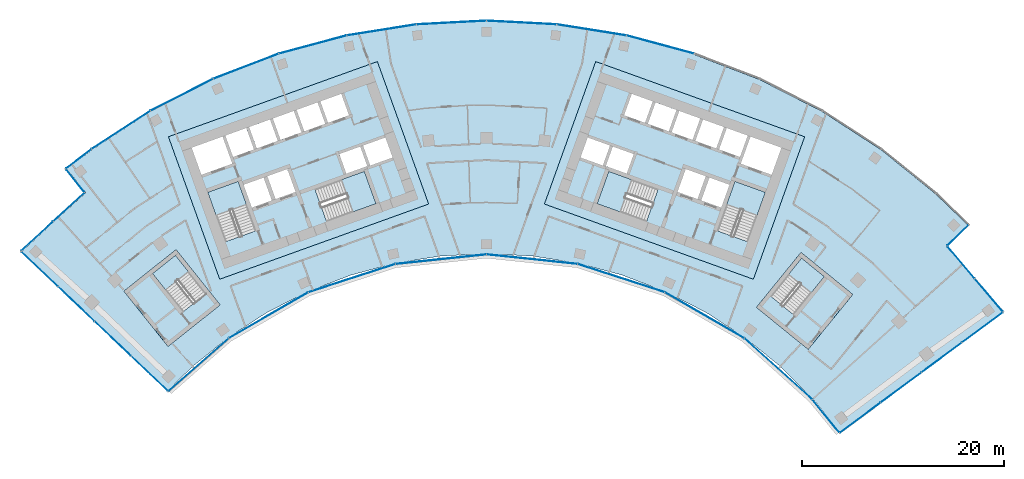
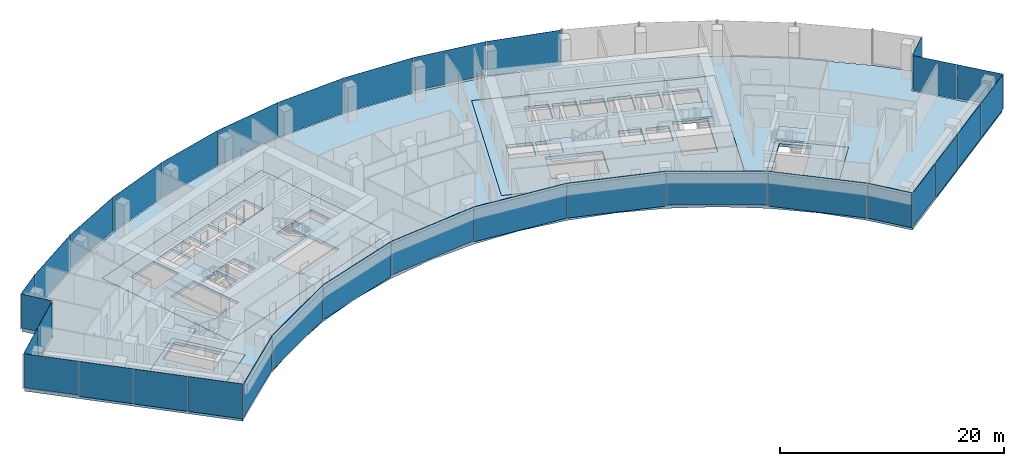
# One storey, part 10 of 19: 33 plates, 11 slabs, 14 elements without a shape of their own.
"""IFC4 building model written with IfcOpenShell, lengths in metres."""

from ifc_helpers import new_model, si_unit, direction, frame, origin, origin_2d, place, context, subcontext, project, spatial, polyline, rectangle, outline, extrude, material, layer, layer_set, type_object, element, aggregate, save


model = new_model("IFC4")

# Units and contexts
model_context = context("Model", 3, precision=1e-05, world=origin(), true_north=direction((0.0, 1.0)))
body_context = subcontext(model_context, "Body", "Model", "MODEL_VIEW")
ifc_project = project(units=[si_unit("LENGTHUNIT", "METRE"), si_unit("AREAUNIT", "SQUARE_METRE"), si_unit("VOLUMEUNIT", "CUBIC_METRE"), si_unit("PLANEANGLEUNIT", "RADIAN"), si_unit("MASSUNIT", "GRAM", prefix="KILO")], contexts=[model_context])

# Site, building, storey
site_placement = place(None, origin())
site = spatial("IfcSite", under=ifc_project, at=site_placement, CompositionType="ELEMENT")
building_placement = place(site_placement, origin())
building = spatial("IfcBuilding", under=site, at=building_placement, Name="Stone Belt Terrace Tower", CompositionType="ELEMENT")
storey_placement = place(building_placement, frame((0.0, 0.0, 208.60009765625)))
storey = spatial("IfcBuildingStorey", under=building, at=storey_placement, Name="L50", CompositionType="ELEMENT", Elevation=208.60009765625)

# Curtain wall, plates
ifc_material_1 = material(Name="Aluminium 6063-T6 anodised frame", Category="aluminium")
ifc_layer_1 = layer(ifc_material_1, 0.14990234375)
ifc_layer_set_1 = layer_set([ifc_layer_1], Name="CW-A unitised convex-face curtain wall")
curtain_wall_type_1 = type_object("IfcCurtainWallType", Name="CW-A unitised convex-face curtain wall", PredefinedType="NOTDEFINED", material=ifc_layer_set_1)
curtain_wall_1_placement = place(storey_placement, origin())
curtain_wall_1 = element("IfcCurtainWall", 1, at=curtain_wall_1_placement, inside=storey, type_object=curtain_wall_type_1, Name="CW-A convex face L50", PredefinedType="NOTDEFINED")
ifc_material_2 = material(Name="Clear double glazed unit")
ifc_layer_2 = layer(ifc_material_2, 0.031982421875)
ifc_layer_set_2 = layer_set([ifc_layer_2], Name="CW-A glass panel 32")
plate_type_1 = type_object("IfcPlateType", Name="CW-A glass panel 32", PredefinedType="CURTAIN_PANEL", material=ifc_layer_set_2)
plate_1_placement = place(storey_placement, frame((17.207275390625, 64.218505859375, 0.0), z_axis=(0.0, 0.0, 1.0), x_axis=(-0.965925826289, 0.258819045103, 0.0)))
plate_1 = element("IfcPlate", 2, at=plate_1_placement, type_object=plate_type_1, Name="CW-A panel 6.1", PredefinedType="CURTAIN_PANEL", context=body_context, shape_type="SweptSolid", body=[
    extrude(rectangle(XDim=6.90087890625, YDim=0.031982421875, at=origin_2d()), origin(), (0.0, 0.0, 1.0), 3.800048828125),
])
plate_2_placement = place(storey_placement, frame((10.400390625, 65.665283203125, 0.14013671875), z_axis=(0.0, 0.0, 1.0), x_axis=(-0.987688340595, 0.15643446504, 0.0)))
plate_2 = element("IfcPlate", 3, at=plate_2_placement, type_object=plate_type_1, Name="CW-A panel 7.1", PredefinedType="CURTAIN_PANEL", context=body_context, shape_type="SweptSolid", body=[
    extrude(rectangle(XDim=6.90087890625, YDim=0.031982421875, at=origin_2d()), origin(), (0.0, 0.0, 1.0), 3.659912109375),
])
plate_3_placement = place(storey_placement, frame((3.4794921875, 66.392822265625, 0.0), z_axis=(0.0, 0.0, 1.0), x_axis=(-0.998629534755, 0.052335956243, 0.0)))
plate_3 = element("IfcPlate", 4, at=plate_3_placement, type_object=plate_type_1, Name="CW-A panel 8.1", PredefinedType="CURTAIN_PANEL", context=body_context, shape_type="SweptSolid", body=[
    extrude(rectangle(XDim=6.90087890625, YDim=0.031982421875, at=origin_2d()), origin(), (0.0, 0.0, 1.0), 3.800048828125),
])
plate_4_placement = place(storey_placement, frame((-3.4794921875, 66.392822265625, 0.0), z_axis=(0.0, 0.0, 1.0), x_axis=(-0.998629534755, -0.052335956243, 0.0)))
plate_4 = element("IfcPlate", 5, at=plate_4_placement, type_object=plate_type_1, Name="CW-A panel 9.1", PredefinedType="CURTAIN_PANEL", context=body_context, shape_type="SweptSolid", body=[
    extrude(rectangle(XDim=6.90087890625, YDim=0.031982421875, at=origin_2d()), origin(), (0.0, 0.0, 1.0), 3.800048828125),
])
plate_5_placement = place(storey_placement, frame((-10.400390625, 65.665283203125, 0.0), z_axis=(0.0, 0.0, 1.0), x_axis=(-0.987688340595, -0.15643446504, 0.0)))
plate_5 = element("IfcPlate", 6, at=plate_5_placement, type_object=plate_type_1, Name="CW-A panel 10.1", PredefinedType="CURTAIN_PANEL", context=body_context, shape_type="SweptSolid", body=[
    extrude(rectangle(XDim=6.90087890625, YDim=0.031982421875, at=origin_2d()), origin(), (0.0, 0.0, 1.0), 3.800048828125),
])
plate_6_placement = place(storey_placement, frame((-17.207275390625, 64.218505859375, 0.0), z_axis=(0.0, 0.0, 1.0), x_axis=(-0.965925826289, -0.258819045103, 0.0)))
plate_6 = element("IfcPlate", 7, at=plate_6_placement, type_object=plate_type_1, Name="CW-A panel 11.1", PredefinedType="CURTAIN_PANEL", context=body_context, shape_type="SweptSolid", body=[
    extrude(rectangle(XDim=6.90087890625, YDim=0.031982421875, at=origin_2d()), origin(), (0.0, 0.0, 1.0), 3.800048828125),
])
plate_7_placement = place(storey_placement, frame((-23.82568359375, 62.068115234375, 0.0), z_axis=(0.0, 0.0, 1.0), x_axis=(-0.933580426497, -0.358367949545, 0.0)))
plate_7 = element("IfcPlate", 8, at=plate_7_placement, type_object=plate_type_1, Name="CW-A panel 12.1", PredefinedType="CURTAIN_PANEL", context=body_context, shape_type="SweptSolid", body=[
    extrude(rectangle(XDim=6.90087890625, YDim=0.031982421875, at=origin_2d()), origin(), (0.0, 0.0, 1.0), 3.800048828125),
])
plate_8_placement = place(storey_placement, frame((-30.18310546875, 59.237548828125, 0.14013671875), z_axis=(0.0, 0.0, 1.0), x_axis=(-0.891006524188, -0.45399049974, 0.0)))
plate_8 = element("IfcPlate", 9, at=plate_8_placement, type_object=plate_type_1, Name="CW-A panel 13.1", PredefinedType="CURTAIN_PANEL", context=body_context, shape_type="SweptSolid", body=[
    extrude(rectangle(XDim=6.90087890625, YDim=0.031982421875, at=origin_2d()), origin(), (0.0, 0.0, 1.0), 3.659912109375),
])
plate_9_placement = place(storey_placement, frame((-36.209716796875, 55.758056640625, 0.0), z_axis=(0.0, 0.0, 1.0), x_axis=(-0.838670567945, -0.544639035015, 0.0)))
plate_9 = element("IfcPlate", 10, at=plate_9_placement, type_object=plate_type_1, Name="CW-A panel 14.1", PredefinedType="CURTAIN_PANEL", context=body_context, shape_type="SweptSolid", body=[
    extrude(rectangle(XDim=6.900634765625, YDim=0.031982421875, at=origin_2d()), origin(), (0.0, 0.0, 1.0), 3.800048828125),
])
plate_10_placement = place(storey_placement, frame((-40.394775390625, 52.896240234375, 0.0), z_axis=(0.0, 0.0, 1.0), x_axis=(-0.794905425637, -0.606733355184, 0.0)))
plate_10 = element("IfcPlate", 11, at=plate_10_placement, type_object=plate_type_1, Name="CW-A panel 15.1", PredefinedType="CURTAIN_PANEL", context=body_context, shape_type="SweptSolid", body=[
    extrude(rectangle(XDim=3.1142578125, YDim=0.031982421875, at=origin_2d()), origin(), (0.0, 0.0, 1.0), 3.800048828125),
])
aggregate(curtain_wall_1, [plate_1, plate_2, plate_3, plate_4, plate_5, plate_6, plate_7, plate_8, plate_9, plate_10])

ifc_layer_3 = layer(ifc_material_1, 0.14990234375)
ifc_layer_set_3 = layer_set([ifc_layer_3], Name="CW-B unitised concave-face curtain wall")
curtain_wall_type_2 = type_object("IfcCurtainWallType", Name="CW-B unitised concave-face curtain wall", PredefinedType="NOTDEFINED", material=ifc_layer_set_3)
curtain_wall_2_placement = place(storey_placement, origin())
curtain_wall_2 = element("IfcCurtainWall", 12, at=curtain_wall_2_placement, inside=storey, type_object=curtain_wall_type_2, Name="CW-B concave face L50", PredefinedType="NOTDEFINED")
ifc_layer_4 = layer(ifc_material_2, 0.030029296875)
ifc_layer_set_4 = layer_set([ifc_layer_4], Name="CW-B glass panel 30")
plate_type_2 = type_object("IfcPlateType", Name="CW-B glass panel 30", PredefinedType="CURTAIN_PANEL", material=ifc_layer_set_4)
plate_11_placement = place(storey_placement, frame((-28.516357421875, 32.509033203125, 0.1201171875), z_axis=(0.0, 0.0, 1.0), x_axis=(0.752060320301, 0.659094283566, 0.0)))
plate_11 = element("IfcPlate", 13, at=plate_11_placement, type_object=plate_type_2, Name="CW-B panel 1.1", PredefinedType="CURTAIN_PANEL", context=body_context, shape_type="SweptSolid", body=[
    extrude(rectangle(XDim=7.8916015625, YDim=0.030029296875, at=origin_2d()), origin(), (0.0, 0.0, 1.0), 3.679931640625),
])
plate_12_placement = place(storey_placement, frame((-21.59375, 37.400634765625, 0.0), z_axis=(0.0, 0.0, 1.0), x_axis=(0.866025403784, 0.5, 0.0)))
plate_12 = element("IfcPlate", 14, at=plate_12_placement, type_object=plate_type_2, Name="CW-B panel 2.1", PredefinedType="CURTAIN_PANEL", context=body_context, shape_type="SweptSolid", body=[
    extrude(rectangle(XDim=9.013916015625, YDim=0.030029296875, at=origin_2d()), origin(), (0.0, 0.0, 1.0), 3.800048828125),
])
plate_13_placement = place(storey_placement, frame((-13.345458984375, 41.072998046875, 0.0), z_axis=(0.0, 0.0, 1.0), x_axis=(0.951056516295, 0.309016994375, 0.0)))
plate_13 = element("IfcPlate", 15, at=plate_13_placement, type_object=plate_type_2, Name="CW-B panel 3.1", PredefinedType="CURTAIN_PANEL", context=body_context, shape_type="SweptSolid", body=[
    extrude(rectangle(XDim=9.0126953125, YDim=0.030029296875, at=origin_2d()), origin(), (0.0, 0.0, 1.0), 3.800048828125),
])
plate_14_placement = place(storey_placement, frame((-4.51416015625, 42.9501953125, 0.1201171875), z_axis=(0.0, 0.0, 1.0), x_axis=(0.994521895368, 0.104528463268, 0.0)))
plate_14 = element("IfcPlate", 16, at=plate_14_placement, type_object=plate_type_2, Name="CW-B panel 4.1", PredefinedType="CURTAIN_PANEL", context=body_context, shape_type="SweptSolid", body=[
    extrude(rectangle(XDim=9.0126953125, YDim=0.030029296875, at=origin_2d()), origin(), (0.0, 0.0, 1.0), 3.679931640625),
])
plate_15_placement = place(storey_placement, frame((4.51416015625, 42.9501953125, 0.0), z_axis=(0.0, 0.0, 1.0), x_axis=(0.994521895368, -0.104528463268, 0.0)))
plate_15 = element("IfcPlate", 17, at=plate_15_placement, type_object=plate_type_2, Name="CW-B panel 5.1", PredefinedType="CURTAIN_PANEL", context=body_context, shape_type="SweptSolid", body=[
    extrude(rectangle(XDim=9.0126953125, YDim=0.030029296875, at=origin_2d()), origin(), (0.0, 0.0, 1.0), 3.800048828125),
])
plate_16_placement = place(storey_placement, frame((13.345458984375, 41.072998046875, 0.0), z_axis=(0.0, 0.0, 1.0), x_axis=(0.951056516295, -0.309016994375, 0.0)))
plate_16 = element("IfcPlate", 18, at=plate_16_placement, type_object=plate_type_2, Name="CW-B panel 6.1", PredefinedType="CURTAIN_PANEL", context=body_context, shape_type="SweptSolid", body=[
    extrude(rectangle(XDim=9.0126953125, YDim=0.030029296875, at=origin_2d()), origin(), (0.0, 0.0, 1.0), 3.800048828125),
])
plate_17_placement = place(storey_placement, frame((21.59326171875, 37.40087890625, 0.1201171875), z_axis=(0.0, 0.0, 1.0), x_axis=(0.866025403784, -0.5, 0.0)))
plate_17 = element("IfcPlate", 19, at=plate_17_placement, type_object=plate_type_2, Name="CW-B panel 7.1", PredefinedType="CURTAIN_PANEL", context=body_context, shape_type="SweptSolid", body=[
    extrude(rectangle(XDim=9.0126953125, YDim=0.030029296875, at=origin_2d()), origin(), (0.0, 0.0, 1.0), 3.679931640625),
])
plate_18_placement = place(storey_placement, frame((28.899169921875, 32.092529296875, 0.0), z_axis=(0.0, 0.0, 1.0), x_axis=(0.743144825477, -0.669130606359, 0.0)))
plate_18 = element("IfcPlate", 20, at=plate_18_placement, type_object=plate_type_2, Name="CW-B panel 8.1", PredefinedType="CURTAIN_PANEL", context=body_context, shape_type="SweptSolid", body=[
    extrude(rectangle(XDim=9.01708984375, YDim=0.030029296875, at=origin_2d()), origin(), (0.0, 0.0, 1.0), 3.800048828125),
])
plate_19_placement = place(storey_placement, frame((33.611572265625, 27.4150390625, 0.0), z_axis=(0.0, 0.0, 1.0), x_axis=(0.632397726807, -0.774643863417, 0.0)))
plate_19 = element("IfcPlate", 21, at=plate_19_placement, type_object=plate_type_2, Name="CW-B panel 9.1", PredefinedType="CURTAIN_PANEL", context=body_context, shape_type="SweptSolid", body=[
    extrude(rectangle(XDim=4.173828125, YDim=0.030029296875, at=origin_2d()), origin(), (0.0, 0.0, 1.0), 3.800048828125),
])
aggregate(curtain_wall_2, [plate_11, plate_12, plate_13, plate_14, plate_15, plate_16, plate_17, plate_18, plate_19])

ifc_layer_5 = layer(ifc_material_1, 0.14990234375)
ifc_layer_set_5 = layer_set([ifc_layer_5], Name="CW-C stick curtain wall, horn ends and notches")
curtain_wall_type_3 = type_object("IfcCurtainWallType", Name="CW-C stick curtain wall, horn ends and notches", PredefinedType="NOTDEFINED", material=ifc_layer_set_5)
curtain_wall_3_placement = place(storey_placement, origin())
curtain_wall_3 = element("IfcCurtainWall", 22, at=curtain_wall_3_placement, inside=storey, type_object=curtain_wall_type_3, Name="CW-C end face L50", PredefinedType="NOTDEFINED")
ifc_layer_6 = layer(ifc_material_2, 0.028076171875)
ifc_layer_set_6 = layer_set([ifc_layer_6], Name="CW-C glass panel 28")
plate_type_3 = type_object("IfcPlateType", Name="CW-C glass panel 28", PredefinedType="CURTAIN_PANEL", material=ifc_layer_set_6)
plate_20_placement = place(storey_placement, frame((37.032470703125, 27.263916015625, 0.1201171875), z_axis=(0.0, 0.0, 1.0), x_axis=(0.804329077539, 0.594184091865, 0.0)))
plate_20 = element("IfcPlate", 23, at=plate_20_placement, type_object=plate_type_3, Name="CW-C panel 1.1", PredefinedType="CURTAIN_PANEL", context=body_context, shape_type="SweptSolid", body=[
    extrude(rectangle(XDim=4.968017578125, YDim=0.028076171875, at=origin_2d()), origin(), (0.0, 0.0, 1.0), 3.679931640625),
])
plate_21_placement = place(storey_placement, frame((41.0654296875, 30.2431640625, 0.0), z_axis=(0.0, 0.0, 1.0), x_axis=(0.804329077539, 0.594184091865, 0.0)))
plate_21 = element("IfcPlate", 24, at=plate_21_placement, type_object=plate_type_3, Name="CW-C panel 2.1", PredefinedType="CURTAIN_PANEL", context=body_context, shape_type="SweptSolid", body=[
    extrude(rectangle(XDim=4.93994140625, YDim=0.028076171875, at=origin_2d()), origin(), (0.0, 0.0, 1.0), 3.800048828125),
])
plate_22_placement = place(storey_placement, frame((45.0869140625, 33.2138671875, 0.0), z_axis=(0.0, 0.0, 1.0), x_axis=(0.804329077539, 0.594184091865, 0.0)))
plate_22 = element("IfcPlate", 25, at=plate_22_placement, type_object=plate_type_3, Name="CW-C panel 3.1", PredefinedType="CURTAIN_PANEL", context=body_context, shape_type="SweptSolid", body=[
    extrude(rectangle(XDim=4.93994140625, YDim=0.028076171875, at=origin_2d()), origin(), (0.0, 0.0, 1.0), 3.800048828125),
])
plate_23_placement = place(storey_placement, frame((49.122802734375, 36.1953125, 0.0), z_axis=(0.0, 0.0, 1.0), x_axis=(0.804329077539, 0.594184091865, 0.0)))
plate_23 = element("IfcPlate", 26, at=plate_23_placement, type_object=plate_type_3, Name="CW-C panel 4.1", PredefinedType="CURTAIN_PANEL", context=body_context, shape_type="SweptSolid", body=[
    extrude(rectangle(XDim=4.974853515625, YDim=0.028076171875, at=origin_2d()), origin(), (0.0, 0.0, 1.0), 3.800048828125),
])
aggregate(curtain_wall_3, [plate_20, plate_21, plate_22, plate_23])

curtain_wall_4_placement = place(storey_placement, origin())
curtain_wall_4 = element("IfcCurtainWall", 27, at=curtain_wall_4_placement, inside=storey, type_object=curtain_wall_type_3, Name="CW-C notch face L50", PredefinedType="NOTDEFINED")
plate_24_placement = place(storey_placement, frame((49.75390625, 39.402587890625, 0.1201171875), z_axis=(0.0, 0.0, 1.0), x_axis=(-0.647210945735, 0.762310954743, 0.0)))
plate_24 = element("IfcPlate", 28, at=plate_24_placement, type_object=plate_type_3, Name="CW-C panel 1.1", PredefinedType="CURTAIN_PANEL", context=body_context, shape_type="SweptSolid", body=[
    extrude(rectangle(XDim=4.268798828125, YDim=0.028076171875, at=origin_2d()), origin(), (0.0, 0.0, 1.0), 3.679931640625),
])
plate_25_placement = place(storey_placement, frame((47.000244140625, 42.645751953125, 0.0), z_axis=(0.0, 0.0, 1.0), x_axis=(-0.647210945735, 0.762310954743, 0.0)))
plate_25 = element("IfcPlate", 29, at=plate_25_placement, type_object=plate_type_3, Name="CW-C panel 2.1", PredefinedType="CURTAIN_PANEL", context=body_context, shape_type="SweptSolid", body=[
    extrude(rectangle(XDim=4.12060546875, YDim=0.028076171875, at=origin_2d()), origin(), (0.0, 0.0, 1.0), 3.800048828125),
])
aggregate(curtain_wall_4, [plate_24, plate_25])

# Curtain wall, plate
curtain_wall_5_placement = place(storey_placement, origin())
curtain_wall_5 = element("IfcCurtainWall", 30, at=curtain_wall_5_placement, inside=storey, type_object=curtain_wall_type_3, Name="CW-C notch face L50", PredefinedType="NOTDEFINED")
plate_26_placement = place(storey_placement, frame((46.69677734375, 45.320068359375, 0.1201171875), z_axis=(0.0, 0.0, 1.0), x_axis=(0.71680345276, 0.697275275707, 0.0)))
plate_26 = element("IfcPlate", 31, at=plate_26_placement, type_object=plate_type_3, Name="CW-C panel 1.1", PredefinedType="CURTAIN_PANEL", context=body_context, shape_type="SweptSolid", body=[
    extrude(rectangle(XDim=2.859619140625, YDim=0.028076171875, at=origin_2d()), origin(), (0.0, 0.0, 1.0), 3.679931640625),
])
aggregate(curtain_wall_5, [plate_26])

curtain_wall_6_placement = place(storey_placement, origin())
curtain_wall_6 = element("IfcCurtainWall", 32, at=curtain_wall_6_placement, inside=storey, type_object=curtain_wall_type_3, Name="CW-C notch face L50", PredefinedType="NOTDEFINED")
plate_27_placement = place(storey_placement, frame((-40.751220703125, 50.732666015625, 0.1201171875), z_axis=(0.0, 0.0, 1.0), x_axis=(0.625342799553, -0.780350166943, 0.0)))
plate_27 = element("IfcPlate", 33, at=plate_27_placement, type_object=plate_type_3, Name="CW-C panel 1.1", PredefinedType="CURTAIN_PANEL", context=body_context, shape_type="SweptSolid", body=[
    extrude(rectangle(XDim=2.85888671875, YDim=0.028076171875, at=origin_2d()), origin(), (0.0, 0.0, 1.0), 3.679931640625),
])
aggregate(curtain_wall_6, [plate_27])

# Curtain wall, plates
curtain_wall_7_placement = place(storey_placement, origin())
curtain_wall_7 = element("IfcCurtainWall", 34, at=curtain_wall_7_placement, inside=storey, type_object=curtain_wall_type_3, Name="CW-C notch face L50", PredefinedType="NOTDEFINED")
plate_28_placement = place(storey_placement, frame((-41.38232421875, 48.116455078125, 0.1201171875), z_axis=(0.0, 0.0, 1.0), x_axis=(-0.736280049148, -0.676676945985, 0.0)))
plate_28 = element("IfcPlate", 35, at=plate_28_placement, type_object=plate_type_3, Name="CW-C panel 1.1", PredefinedType="CURTAIN_PANEL", context=body_context, shape_type="SweptSolid", body=[
    extrude(rectangle(XDim=4.12060546875, YDim=0.028076171875, at=origin_2d()), origin(), (0.0, 0.0, 1.0), 3.679931640625),
])
plate_29_placement = place(storey_placement, frame((-44.514892578125, 45.237548828125, 0.0), z_axis=(0.0, 0.0, 1.0), x_axis=(-0.736280049148, -0.676676945985, 0.0)))
plate_29 = element("IfcPlate", 36, at=plate_29_placement, type_object=plate_type_3, Name="CW-C panel 2.1", PredefinedType="CURTAIN_PANEL", context=body_context, shape_type="SweptSolid", body=[
    extrude(rectangle(XDim=4.268798828125, YDim=0.028076171875, at=origin_2d()), origin(), (0.0, 0.0, 1.0), 3.800048828125),
])
aggregate(curtain_wall_7, [plate_28, plate_29])

curtain_wall_8_placement = place(storey_placement, origin())
curtain_wall_8 = element("IfcCurtainWall", 37, at=curtain_wall_8_placement, inside=storey, type_object=curtain_wall_type_3, Name="CW-C end face L50", PredefinedType="NOTDEFINED")
plate_30_placement = place(storey_placement, frame((-44.2841796875, 41.976806640625, 0.1201171875), z_axis=(0.0, 0.0, 1.0), x_axis=(0.72491369175, -0.688839705238, 0.0)))
plate_30 = element("IfcPlate", 38, at=plate_30_placement, type_object=plate_type_3, Name="CW-C panel 1.1", PredefinedType="CURTAIN_PANEL", context=body_context, shape_type="SweptSolid", body=[
    extrude(rectangle(XDim=4.974853515625, YDim=0.028076171875, at=origin_2d()), origin(), (0.0, 0.0, 1.0), 3.679931640625),
])
plate_31_placement = place(storey_placement, frame((-40.646728515625, 38.520751953125, 0.0), z_axis=(0.0, 0.0, 1.0), x_axis=(0.72491369175, -0.688839705238, 0.0)))
plate_31 = element("IfcPlate", 39, at=plate_31_placement, type_object=plate_type_3, Name="CW-C panel 2.1", PredefinedType="CURTAIN_PANEL", context=body_context, shape_type="SweptSolid", body=[
    extrude(rectangle(XDim=4.93994140625, YDim=0.028076171875, at=origin_2d()), origin(), (0.0, 0.0, 1.0), 3.800048828125),
])
plate_32_placement = place(storey_placement, frame((-37.022216796875, 35.076416015625, 0.0), z_axis=(0.0, 0.0, 1.0), x_axis=(0.72491369175, -0.688839705238, 0.0)))
plate_32 = element("IfcPlate", 40, at=plate_32_placement, type_object=plate_type_3, Name="CW-C panel 3.1", PredefinedType="CURTAIN_PANEL", context=body_context, shape_type="SweptSolid", body=[
    extrude(rectangle(XDim=4.93994140625, YDim=0.028076171875, at=origin_2d()), origin(), (0.0, 0.0, 1.0), 3.800048828125),
])
plate_33_placement = place(storey_placement, frame((-33.388427734375, 31.623291015625, 0.0), z_axis=(0.0, 0.0, 1.0), x_axis=(0.72491369175, -0.688839705238, 0.0)))
plate_33 = element("IfcPlate", 41, at=plate_33_placement, type_object=plate_type_3, Name="CW-C panel 4.1", PredefinedType="CURTAIN_PANEL", context=body_context, shape_type="SweptSolid", body=[
    extrude(rectangle(XDim=4.9658203125, YDim=0.028076171875, at=origin_2d()), origin(), (0.0, 0.0, 1.0), 3.800048828125),
])
aggregate(curtain_wall_8, [plate_30, plate_31, plate_32, plate_33])

# Slabs
ifc_material_3 = material(Name="Concrete B40", Category="concrete")
ifc_layer_7 = layer(ifc_material_3, 0.320068359375)
ifc_layer_set_7 = layer_set([ifc_layer_7], Name="Core floor slab 320")
slab_type_1 = type_object("IfcSlabType", Name="Core floor slab 320", PredefinedType="FLOOR", material=ifc_layer_set_7)
slab_1_placement = place(storey_placement, frame((0.0, 0.0, -0.320068359375)))
element("IfcSlab", 42, at=slab_1_placement, inside=storey, type_object=slab_type_1, Name="Core A floor L50", PredefinedType="FLOOR", context=body_context, shape_type="SweptSolid", body=[
    extrude(outline(polyline([(-26.43505859375, 40.968994140625), (-5.735107421875, 48.4189453125), (-10.81396484375, 62.531982421875), (-31.513916015625, 55.0830078125), (-26.43505859375, 40.968994140625)]), holes=[polyline([(-24.60791015625, 50.659912109375), (-22.847900390625, 45.76806640625), (-25.85888671875, 44.68408203125), (-27.618896484375, 49.575927734375), (-24.60791015625, 50.659912109375)]), polyline([(-23.25, 48.06689453125), (-24.06298828125, 50.324951171875), (-22.0869140625, 51.035888671875), (-21.27392578125, 48.778076171875), (-23.25, 48.06689453125)]), polyline([(-20.89794921875, 48.9130859375), (-21.7109375, 51.1708984375), (-19.735107421875, 51.883056640625), (-18.922119140625, 49.6240234375), (-20.89794921875, 48.9130859375)]), polyline([(-28.24609375, 51.31689453125), (-29.2109375, 53.9990234375), (-26.153076171875, 55.09912109375), (-25.18798828125, 52.41796875), (-28.24609375, 51.31689453125)]), polyline([(-23.801025390625, 55.946044921875), (-23.0390625, 53.8291015625), (-25.10888671875, 53.083984375), (-25.87109375, 55.200927734375), (-23.801025390625, 55.946044921875)]), polyline([(-21.447998046875, 56.7919921875), (-20.68603515625, 54.675048828125), (-22.756103515625, 53.929931640625), (-23.51806640625, 56.047119140625), (-21.447998046875, 56.7919921875)]), polyline([(-10.955078125, 48.452880859375), (-15.846923828125, 46.69189453125), (-16.998046875, 49.89208984375), (-12.10595703125, 51.652099609375), (-10.955078125, 48.452880859375)]), polyline([(-11.847900390625, 52.116943359375), (-11.864990234375, 52.1640625), (-13.887939453125, 51.43603515625), (-14.58203125, 53.364990234375), (-12.511962890625, 54.110107421875), (-11.801025390625, 52.134033203125), (-11.847900390625, 52.116943359375)]), polyline([(-9.30810546875, 53.031005859375), (-11.51904296875, 52.235107421875), (-12.22998046875, 54.2109375), (-10.01904296875, 55.007080078125), (-9.30810546875, 53.031005859375)]), polyline([(-21.166015625, 56.89404296875), (-19.095947265625, 57.638916015625), (-18.333984375, 55.52197265625), (-20.404052734375, 54.777099609375), (-21.166015625, 56.89404296875)]), polyline([(-16.743896484375, 58.485107421875), (-15.98193359375, 56.367919921875), (-18.052001953125, 55.623046875), (-18.81396484375, 57.739990234375), (-16.743896484375, 58.485107421875)]), polyline([(-14.39111328125, 59.33203125), (-13.6298828125, 57.215087890625), (-15.699951171875, 56.469970703125), (-16.4609375, 58.5869140625), (-14.39111328125, 59.33203125)])]), origin(), (0.0, 0.0, 1.0), 0.320068359375),
])
slab_2_placement = place(storey_placement, frame((0.0, 0.0, -0.320068359375)))
element("IfcSlab", 43, at=slab_2_placement, inside=storey, type_object=slab_type_1, Name="Core B floor L50", PredefinedType="FLOOR", context=body_context, shape_type="SweptSolid", body=[
    extrude(outline(polyline([(26.43505859375, 40.968994140625), (31.513916015625, 55.0830078125), (10.81396484375, 62.531982421875), (5.735107421875, 48.4189453125), (26.43505859375, 40.968994140625)]), holes=[polyline([(12.10595703125, 51.652099609375), (16.998046875, 49.89208984375), (15.846923828125, 46.69189453125), (10.955078125, 48.452880859375), (12.10595703125, 51.652099609375)]), polyline([(12.511962890625, 54.110107421875), (14.58203125, 53.364990234375), (13.887939453125, 51.43603515625), (11.864990234375, 52.1640625), (11.847900390625, 52.116943359375), (11.801025390625, 52.134033203125), (12.511962890625, 54.110107421875)]), polyline([(9.30810546875, 53.031005859375), (10.01904296875, 55.007080078125), (12.22998046875, 54.2109375), (11.51904296875, 52.235107421875), (9.30810546875, 53.031005859375)]), polyline([(18.333984375, 55.52197265625), (19.095947265625, 57.638916015625), (21.166015625, 56.89404296875), (20.404052734375, 54.777099609375), (18.333984375, 55.52197265625)]), polyline([(16.743896484375, 58.485107421875), (18.81396484375, 57.739990234375), (18.052001953125, 55.623046875), (15.98193359375, 56.367919921875), (16.743896484375, 58.485107421875)]), polyline([(14.39111328125, 59.33203125), (16.4609375, 58.5869140625), (15.699951171875, 56.469970703125), (13.6298828125, 57.215087890625), (14.39111328125, 59.33203125)]), polyline([(27.618896484375, 49.575927734375), (25.85888671875, 44.68408203125), (22.847900390625, 45.76806640625), (24.60791015625, 50.659912109375), (27.618896484375, 49.575927734375)]), polyline([(23.25, 48.06689453125), (21.27392578125, 48.778076171875), (22.0869140625, 51.035888671875), (24.06298828125, 50.324951171875), (23.25, 48.06689453125)]), polyline([(20.89794921875, 48.9130859375), (18.922119140625, 49.6240234375), (19.735107421875, 51.883056640625), (21.7109375, 51.1708984375), (20.89794921875, 48.9130859375)]), polyline([(26.153076171875, 55.09912109375), (29.2109375, 53.9990234375), (28.24609375, 51.31689453125), (25.18798828125, 52.41796875), (26.153076171875, 55.09912109375)]), polyline([(23.801025390625, 55.946044921875), (25.87109375, 55.200927734375), (25.10888671875, 53.083984375), (23.0390625, 53.8291015625), (23.801025390625, 55.946044921875)]), polyline([(21.447998046875, 56.7919921875), (23.51806640625, 56.047119140625), (22.756103515625, 53.929931640625), (20.68603515625, 54.675048828125), (21.447998046875, 56.7919921875)])]), origin(), (0.0, 0.0, 1.0), 0.320068359375),
])
slab_3_placement = place(storey_placement, frame((0.0, 0.0, -0.320068359375)))
element("IfcSlab", 44, at=slab_3_placement, inside=storey, type_object=slab_type_1, Name="Exit stair ST3A floor L50", PredefinedType="FLOOR", context=body_context, shape_type="SweptSolid", body=[
    extrude(outline(polyline([(-26.39404296875, 38.425048828125), (-30.756103515625, 43.89990234375), (-35.91796875, 39.787109375), (-31.555908203125, 34.31298828125), (-26.39404296875, 38.425048828125)]), holes=[polyline([(-27.798095703125, 39.544921875), (-30.06591796875, 37.738037109375), (-33.087890625, 41.531005859375), (-30.820068359375, 43.337890625), (-27.798095703125, 39.544921875)])]), origin(), (0.0, 0.0, 1.0), 0.320068359375),
])
slab_4_placement = place(storey_placement, frame((0.0, 0.0, -0.320068359375)))
element("IfcSlab", 45, at=slab_4_placement, inside=storey, type_object=slab_type_1, Name="Exit stair ST3B floor L50", PredefinedType="FLOOR", context=body_context, shape_type="SweptSolid", body=[
    extrude(outline(polyline([(26.741943359375, 38.18408203125), (31.866943359375, 34.02392578125), (36.278076171875, 39.458984375), (31.154052734375, 43.618896484375), (26.741943359375, 38.18408203125)]), holes=[polyline([(30.407958984375, 37.462890625), (28.156005859375, 39.291015625), (31.2119140625, 43.055908203125), (33.464111328125, 41.22802734375), (30.407958984375, 37.462890625)])]), origin(), (0.0, 0.0, 1.0), 0.320068359375),
])
ifc_layer_8 = layer(ifc_material_3, 0.320068359375)
ifc_layer_set_8 = layer_set([ifc_layer_8], Name="Floor slab 320 B40")
slab_type_2 = type_object("IfcSlabType", Name="Floor slab 320 B40", PredefinedType="FLOOR", material=ifc_layer_set_8)
slab_5_placement = place(storey_placement, frame((0.0, 0.0, -0.320068359375)))
element("IfcSlab", 46, at=slab_5_placement, inside=storey, type_object=slab_type_2, Name="Floor slab L50", PredefinedType="FLOOR", context=body_context, shape_type="SweptSolid", body=[
    extrude(outline(polyline([(-39.087646484375, 53.799560546875), (-33.25, 57.5908203125), (-27.048095703125, 60.750732421875), (-20.549560546875, 63.245361328125), (-13.826171875, 65.046875), (-6.951171875, 66.1357421875), (0.0, 66.5), (6.951171875, 66.1357421875), (13.826171875, 65.046875), (20.549560546875, 63.245361328125), (27.048095703125, 60.750732421875), (33.25, 57.5908203125), (39.087646484375, 53.799560546875), (44.497314453125, 49.419189453125), (47.66748046875, 46.368896484375), (45.51708984375, 44.277099609375), (51.074951171875, 37.730712890625), (34.98828125, 25.846923828125), (32.326904296875, 29.107177734375), (29.107177734375, 32.326904296875), (25.568603515625, 35.192138671875), (21.75, 37.672119140625), (17.693115234375, 39.7392578125), (13.442138671875, 41.37109375), (9.044189453125, 42.54931640625), (4.547119140625, 43.26171875), (0.0, 43.5), (-4.547119140625, 43.26171875), (-9.044189453125, 42.54931640625), (-13.442138671875, 41.37109375), (-17.693115234375, 39.7392578125), (-21.75, 37.672119140625), (-25.568603515625, 35.192138671875), (-29.107177734375, 32.326904296875), (-31.53369140625, 29.964599609375), (-46.031982421875, 43.7412109375), (-39.709228515625, 49.55224609375), (-41.585205078125, 51.893310546875), (-39.087646484375, 53.799560546875)]), holes=[polyline([(-26.434814453125, 40.968994140625), (-5.734619140625, 48.418701171875), (-10.81396484375, 62.532470703125), (-31.51416015625, 55.082763671875), (-26.434814453125, 40.968994140625)]), polyline([(10.81396484375, 62.532470703125), (5.734619140625, 48.418701171875), (26.434814453125, 40.968994140625), (31.51416015625, 55.082763671875), (10.81396484375, 62.532470703125)]), polyline([(-35.91796875, 39.787353515625), (-31.55615234375, 34.3125), (-26.39404296875, 38.425048828125), (-30.756103515625, 43.89990234375), (-35.91796875, 39.787353515625)]), polyline([(36.2783203125, 39.459228515625), (31.15380859375, 43.61865234375), (26.742431640625, 38.18359375), (31.86669921875, 34.024169921875), (36.2783203125, 39.459228515625)])]), origin(), (0.0, 0.0, 1.0), 0.320068359375),
])

# Stair, slab
stair_type = type_object("IfcStairType", Name="Exit stair 1500", PredefinedType="HALF_TURN_STAIR", material=ifc_material_3)
stair_1_placement = place(storey_placement, origin())
stair_1 = element("IfcStair", 47, at=stair_1_placement, inside=storey, type_object=stair_type, Name="L50 Exit stair 1 core A", PredefinedType="HALF_TURN_STAIR")
ifc_layer_9 = layer(ifc_material_3, 0.199951171875)
ifc_layer_set_9 = layer_set([ifc_layer_9], Name="Stair landing 200")
slab_type_3 = type_object("IfcSlabType", Name="Stair landing 200", PredefinedType="LANDING", material=ifc_layer_set_9)
slab_6_placement = place(storey_placement, frame((0.0, 0.0, 1.699951171875)))
slab_6 = element("IfcSlab", 48, at=slab_6_placement, type_object=slab_type_3, Name="ST1A landing 1", PredefinedType="LANDING", context=body_context, shape_type="SweptSolid", body=[
    extrude(outline(polyline([(-23.79541015625, 48.40087890625), (-24.6083984375, 50.659912109375), (-27.619384765625, 49.576171875), (-26.806396484375, 47.3173828125), (-23.79541015625, 48.40087890625)])), origin(), (0.0, 0.0, 1.0), 0.199951171875),
])
aggregate(stair_1, [slab_6])

stair_2_placement = place(storey_placement, origin())
stair_2 = element("IfcStair", 49, at=stair_2_placement, inside=storey, type_object=stair_type, Name="L50 Exit stair 2 core A", PredefinedType="HALF_TURN_STAIR")
slab_7_placement = place(storey_placement, frame((0.0, 0.0, 1.699951171875)))
slab_7 = element("IfcSlab", 50, at=slab_7_placement, type_object=slab_type_3, Name="ST2A landing 1", PredefinedType="LANDING", context=body_context, shape_type="SweptSolid", body=[
    extrude(outline(polyline([(-13.213623046875, 47.64013671875), (-10.95458984375, 48.453125), (-12.10595703125, 51.652099609375), (-14.36474609375, 50.839111328125), (-13.213623046875, 47.64013671875)])), origin(), (0.0, 0.0, 1.0), 0.199951171875),
])
aggregate(stair_2, [slab_7])

stair_3_placement = place(storey_placement, origin())
stair_3 = element("IfcStair", 51, at=stair_3_placement, inside=storey, type_object=stair_type, Name="L50 Exit stair 1 core B", PredefinedType="HALF_TURN_STAIR")
slab_8_placement = place(storey_placement, frame((0.0, 0.0, 1.699951171875)))
slab_8 = element("IfcSlab", 52, at=slab_8_placement, type_object=slab_type_3, Name="ST1B landing 1", PredefinedType="LANDING", context=body_context, shape_type="SweptSolid", body=[
    extrude(outline(polyline([(26.806396484375, 47.3173828125), (27.619384765625, 49.576171875), (24.6083984375, 50.659912109375), (23.79541015625, 48.40087890625), (26.806396484375, 47.3173828125)])), origin(), (0.0, 0.0, 1.0), 0.199951171875),
])
aggregate(stair_3, [slab_8])

stair_4_placement = place(storey_placement, origin())
stair_4 = element("IfcStair", 53, at=stair_4_placement, inside=storey, type_object=stair_type, Name="L50 Exit stair 2 core B", PredefinedType="HALF_TURN_STAIR")
slab_9_placement = place(storey_placement, frame((0.0, 0.0, 1.699951171875)))
slab_9 = element("IfcSlab", 54, at=slab_9_placement, type_object=slab_type_3, Name="ST2B landing 1", PredefinedType="LANDING", context=body_context, shape_type="SweptSolid", body=[
    extrude(outline(polyline([(14.36474609375, 50.839111328125), (12.10595703125, 51.652099609375), (10.95458984375, 48.453125), (13.213623046875, 47.64013671875), (14.36474609375, 50.839111328125)])), origin(), (0.0, 0.0, 1.0), 0.199951171875),
])
aggregate(stair_4, [slab_9])

stair_5_placement = place(storey_placement, origin())
stair_5 = element("IfcStair", 55, at=stair_5_placement, inside=storey, type_object=stair_type, Name="L50 Exit stair 3A", PredefinedType="HALF_TURN_STAIR")
slab_10_placement = place(storey_placement, frame((0.0, 0.0, 1.699951171875)))
slab_10 = element("IfcSlab", 56, at=slab_10_placement, type_object=slab_type_3, Name="ST3A landing 1", PredefinedType="LANDING", context=body_context, shape_type="SweptSolid", body=[
    extrude(outline(polyline([(-29.541748046875, 41.73388671875), (-30.819580078125, 43.337890625), (-33.087646484375, 41.53076171875), (-31.809814453125, 39.9267578125), (-29.541748046875, 41.73388671875)])), origin(), (0.0, 0.0, 1.0), 0.199951171875),
])
aggregate(stair_5, [slab_10])

stair_6_placement = place(storey_placement, origin())
stair_6 = element("IfcStair", 57, at=stair_6_placement, inside=storey, type_object=stair_type, Name="L50 Exit stair 3B", PredefinedType="HALF_TURN_STAIR")
slab_11_placement = place(storey_placement, frame((0.0, 0.0, 1.699951171875)))
slab_11 = element("IfcSlab", 58, at=slab_11_placement, type_object=slab_type_3, Name="ST3B landing 1", PredefinedType="LANDING", context=body_context, shape_type="SweptSolid", body=[
    extrude(outline(polyline([(32.17138671875, 39.635986328125), (33.4638671875, 41.228271484375), (31.21240234375, 43.055908203125), (29.919921875, 41.463623046875), (32.17138671875, 39.635986328125)])), origin(), (0.0, 0.0, 1.0), 0.199951171875),
])
aggregate(stair_6, [slab_11])

save(model, "model.ifc")
